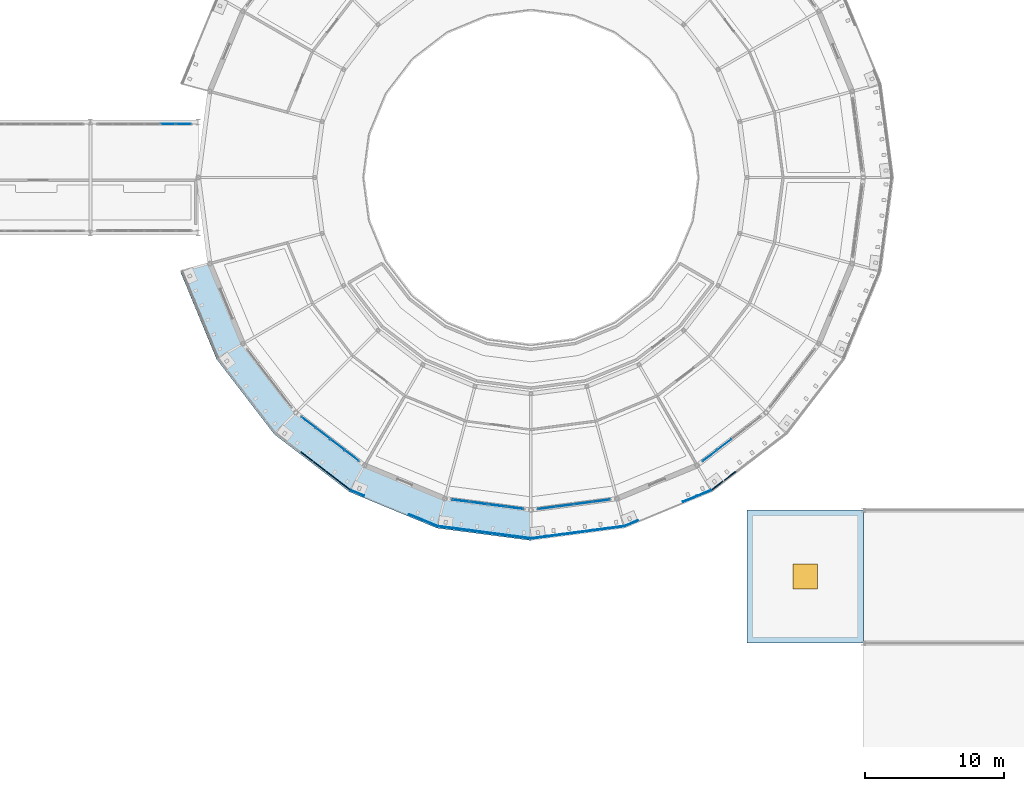
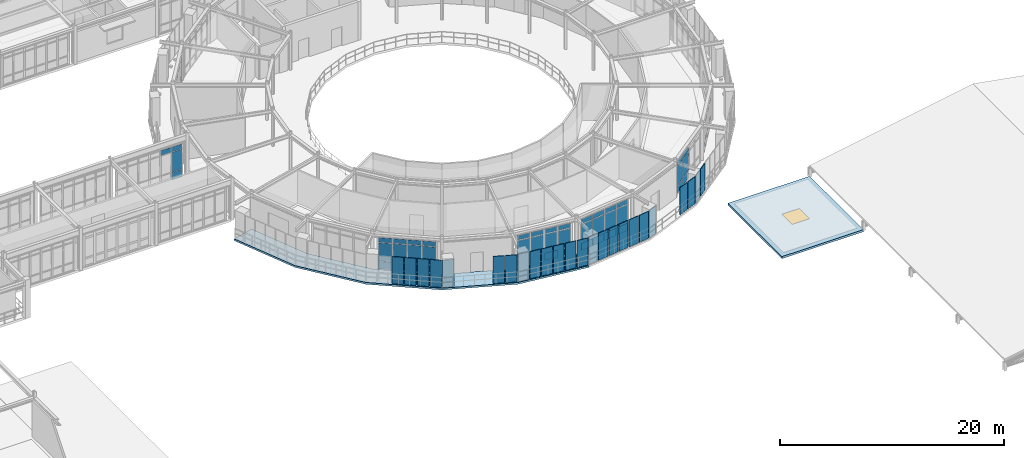
# One storey, part 60 of 90: 70 plates, 2 slabs, 1 window, 1 opening, 5 elements without a shape of their own.
"""IFC4 building model written with IfcOpenShell, lengths in metres."""

from ifc_helpers import new_model, si_unit, derived_unit, direction, frame, origin, origin_2d, place, context, subcontext, project, spatial, polyline, rectangle, outline, extrude, material, layer, layer_set, type_object, element, fill, aggregate, save


model = new_model("IFC4")

# Units and contexts
model_context = context("Model", 3, precision=1e-05, world=origin(), true_north=direction((0.0, 1.0)))
body_context = subcontext(model_context, "Body", "Model", "MODEL_VIEW")
ifc_project = project(units=[si_unit("LENGTHUNIT", "METRE"), si_unit("AREAUNIT", "SQUARE_METRE"), si_unit("VOLUMEUNIT", "CUBIC_METRE"), si_unit("PLANEANGLEUNIT", "RADIAN"), si_unit("MASSUNIT", "GRAM", prefix="KILO"), derived_unit("THERMALTRANSMITTANCEUNIT", [(si_unit("POWERUNIT", "WATT"), 1), (si_unit("AREAUNIT", "SQUARE_METRE"), -1), (si_unit("THERMODYNAMICTEMPERATUREUNIT", "KELVIN"), -1)])], contexts=[model_context])

# Site, building, storey
site_placement = place(None, origin())
site = spatial("IfcSite", under=ifc_project, at=site_placement, CompositionType="ELEMENT")
building_placement = place(site_placement, origin())
building = spatial("IfcBuilding", under=site, at=building_placement, Name="Yasenodar Specialist Clinic", CompositionType="ELEMENT")
storey_placement = place(building_placement, frame((0.0, 0.0, 9.0)))
storey = spatial("IfcBuildingStorey", under=building, at=storey_placement, Name="L02", CompositionType="ELEMENT", Elevation=9.0)

# Curtain wall, plates
ifc_material_1 = material(Name="Bronze Anodized Aluminium and Triple Low-E Glass", Category="aluminium")
ifc_layer_1 = layer(ifc_material_1, 0.1669921875)
ifc_layer_set_1 = layer_set([ifc_layer_1], Name="Bronze Anodized Aluminium and Triple Low-E Glass")
curtain_wall_type_1 = type_object("IfcCurtainWallType", Name="CW-SYS-01", PredefinedType="USERDEFINED", material=ifc_layer_set_1)
curtain_wall_1_placement = place(storey_placement, origin())
curtain_wall_1 = element("IfcCurtainWall", 1, at=curtain_wall_1_placement, inside=storey, type_object=curtain_wall_type_1, Name="L02 Unitised Curtain Wall 036", ObjectType="UNITISED CURTAIN WALL", PredefinedType="USERDEFINED")
ifc_material_2 = material(Name="Triple Low-E Argon Glazing", Category="glass")
ifc_layer_2 = layer(ifc_material_2, 0.028076171875)
ifc_layer_set_2 = layer_set([ifc_layer_2], Name="Triple Low-E Argon Glazing")
plate_type_1 = type_object("IfcPlateType", Name="CW-PAN-1", PredefinedType="CURTAIN_PANEL", material=ifc_layer_set_2)
plate_1_placement = place(storey_placement, frame((86.0634765625, 35.466552734375, 0.06005859375), z_axis=(0.0, 0.0, 1.0), x_axis=(-0.991446787601, -0.13051156024, 0.0)))
plate_1 = element("IfcPlate", 2, at=plate_1_placement, type_object=plate_type_1, Name="CW-01 panel 1.1", PredefinedType="CURTAIN_PANEL", context=body_context, shape_type="SweptSolid", body=[
    extrude(rectangle(XDim=1.236328125, YDim=0.028076171875, at=origin_2d()), origin(), (0.0, 0.0, 1.0), 0.81005859375),
])
plate_2_placement = place(storey_placement, frame((86.0634765625, 35.466552734375, 0.929931640625), z_axis=(0.0, 0.0, 1.0), x_axis=(-0.991446787601, -0.13051156024, 0.0)))
plate_2 = element("IfcPlate", 3, at=plate_2_placement, type_object=plate_type_1, Name="CW-01 panel 1.2", PredefinedType="CURTAIN_PANEL", context=body_context, shape_type="SweptSolid", body=[
    extrude(rectangle(XDim=1.236328125, YDim=0.028076171875, at=origin_2d()), origin(), (0.0, 0.0, 1.0), 1.97802734375),
])
plate_3_placement = place(storey_placement, frame((86.0634765625, 35.466552734375, 2.9677734375), z_axis=(0.0, 0.0, 1.0), x_axis=(-0.991446787601, -0.13051156024, 0.0)))
plate_3 = element("IfcPlate", 4, at=plate_3_placement, type_object=plate_type_1, Name="CW-01 panel 1.3", PredefinedType="CURTAIN_PANEL", context=body_context, shape_type="SweptSolid", body=[
    extrude(rectangle(XDim=1.236328125, YDim=0.028076171875, at=origin_2d()), origin(), (0.0, 0.0, 1.0), 0.510009765625),
])
plate_4_placement = place(storey_placement, frame((84.763427734375, 35.29541015625, 0.06005859375), z_axis=(0.0, 0.0, 1.0), x_axis=(-0.991446787601, -0.13051156024, 0.0)))
plate_4 = element("IfcPlate", 5, at=plate_4_placement, type_object=plate_type_1, Name="CW-01 panel 2.1", PredefinedType="CURTAIN_PANEL", context=body_context, shape_type="SweptSolid", body=[
    extrude(rectangle(XDim=1.266357421875, YDim=0.028076171875, at=origin_2d()), origin(), (0.0, 0.0, 1.0), 0.81005859375),
])
plate_5_placement = place(storey_placement, frame((84.763427734375, 35.29541015625, 0.929931640625), z_axis=(0.0, 0.0, 1.0), x_axis=(-0.991446787601, -0.13051156024, 0.0)))
plate_5 = element("IfcPlate", 6, at=plate_5_placement, type_object=plate_type_1, Name="CW-01 panel 2.2", PredefinedType="CURTAIN_PANEL", context=body_context, shape_type="SweptSolid", body=[
    extrude(rectangle(XDim=1.266357421875, YDim=0.028076171875, at=origin_2d()), origin(), (0.0, 0.0, 1.0), 1.97802734375),
])
plate_6_placement = place(storey_placement, frame((84.763427734375, 35.29541015625, 2.9677734375), z_axis=(0.0, 0.0, 1.0), x_axis=(-0.991446787601, -0.13051156024, 0.0)))
plate_6 = element("IfcPlate", 7, at=plate_6_placement, type_object=plate_type_1, Name="CW-01 panel 2.3", PredefinedType="CURTAIN_PANEL", context=body_context, shape_type="SweptSolid", body=[
    extrude(rectangle(XDim=1.266357421875, YDim=0.028076171875, at=origin_2d()), origin(), (0.0, 0.0, 1.0), 0.510009765625),
])
plate_7_placement = place(storey_placement, frame((83.4482421875, 35.122314453125, 0.06005859375), z_axis=(0.0, 0.0, 1.0), x_axis=(-0.991446787601, -0.13051156024, 0.0)))
plate_7 = element("IfcPlate", 8, at=plate_7_placement, type_object=plate_type_1, Name="CW-01 panel 3.1", PredefinedType="CURTAIN_PANEL", context=body_context, shape_type="SweptSolid", body=[
    extrude(rectangle(XDim=1.266357421875, YDim=0.028076171875, at=origin_2d()), origin(), (0.0, 0.0, 1.0), 0.81005859375),
])
plate_8_placement = place(storey_placement, frame((83.4482421875, 35.122314453125, 0.929931640625), z_axis=(0.0, 0.0, 1.0), x_axis=(-0.991446787601, -0.13051156024, 0.0)))
plate_8 = element("IfcPlate", 9, at=plate_8_placement, type_object=plate_type_1, Name="CW-01 panel 3.2", PredefinedType="CURTAIN_PANEL", context=body_context, shape_type="SweptSolid", body=[
    extrude(rectangle(XDim=1.266357421875, YDim=0.028076171875, at=origin_2d()), origin(), (0.0, 0.0, 1.0), 1.97802734375),
])
plate_9_placement = place(storey_placement, frame((83.4482421875, 35.122314453125, 2.9677734375), z_axis=(0.0, 0.0, 1.0), x_axis=(-0.991446787601, -0.13051156024, 0.0)))
plate_9 = element("IfcPlate", 10, at=plate_9_placement, type_object=plate_type_1, Name="CW-01 panel 3.3", PredefinedType="CURTAIN_PANEL", context=body_context, shape_type="SweptSolid", body=[
    extrude(rectangle(XDim=1.266357421875, YDim=0.028076171875, at=origin_2d()), origin(), (0.0, 0.0, 1.0), 0.510009765625),
])
plate_10_placement = place(storey_placement, frame((82.148193359375, 34.951171875, 0.06005859375), z_axis=(0.0, 0.0, 1.0), x_axis=(-0.991446787601, -0.13051156024, 0.0)))
plate_10 = element("IfcPlate", 11, at=plate_10_placement, type_object=plate_type_1, Name="CW-01 panel 4.1", PredefinedType="CURTAIN_PANEL", context=body_context, shape_type="SweptSolid", body=[
    extrude(rectangle(XDim=1.236328125, YDim=0.028076171875, at=origin_2d()), origin(), (0.0, 0.0, 1.0), 0.81005859375),
])
plate_11_placement = place(storey_placement, frame((82.148193359375, 34.951171875, 0.929931640625), z_axis=(0.0, 0.0, 1.0), x_axis=(-0.991446787601, -0.13051156024, 0.0)))
plate_11 = element("IfcPlate", 12, at=plate_11_placement, type_object=plate_type_1, Name="CW-01 panel 4.2", PredefinedType="CURTAIN_PANEL", context=body_context, shape_type="SweptSolid", body=[
    extrude(rectangle(XDim=1.236328125, YDim=0.028076171875, at=origin_2d()), origin(), (0.0, 0.0, 1.0), 1.97802734375),
])
plate_12_placement = place(storey_placement, frame((82.148193359375, 34.951171875, 2.9677734375), z_axis=(0.0, 0.0, 1.0), x_axis=(-0.991446787601, -0.13051156024, 0.0)))
plate_12 = element("IfcPlate", 13, at=plate_12_placement, type_object=plate_type_1, Name="CW-01 panel 4.3", PredefinedType="CURTAIN_PANEL", context=body_context, shape_type="SweptSolid", body=[
    extrude(rectangle(XDim=1.236328125, YDim=0.028076171875, at=origin_2d()), origin(), (0.0, 0.0, 1.0), 0.510009765625),
])
aggregate(curtain_wall_1, [plate_1, plate_2, plate_3, plate_4, plate_5, plate_6, plate_7, plate_8, plate_9, plate_10, plate_11, plate_12])

curtain_wall_2_placement = place(storey_placement, origin())
curtain_wall_2 = element("IfcCurtainWall", 14, at=curtain_wall_2_placement, inside=storey, type_object=curtain_wall_type_1, Name="L02 Unitised Curtain Wall 037", ObjectType="UNITISED CURTAIN WALL", PredefinedType="USERDEFINED")
ifc_layer_3 = layer(ifc_material_2, 0.033935546875)
ifc_layer_set_3 = layer_set([ifc_layer_3], Name="Triple Low-E Argon Glazing")
plate_type_2 = type_object("IfcPlateType", Name="CW-PAN-2", PredefinedType="CURTAIN_PANEL", material=ifc_layer_set_3)
plate_13_placement = place(storey_placement, frame((94.959228515625, 39.518798828125, 0.06005859375), z_axis=(0.0, 0.0, 1.0), x_axis=(-0.793360558574, -0.608752021844, 0.0)))
plate_13 = element("IfcPlate", 15, at=plate_13_placement, type_object=plate_type_2, Name="CW-01 panel 3.1", PredefinedType="CURTAIN_PANEL", context=body_context, shape_type="SweptSolid", body=[
    extrude(rectangle(XDim=1.266357421875, YDim=0.033935546875, at=origin_2d()), origin(), (0.0, 0.0, 1.0), 0.81005859375),
])
plate_14_placement = place(storey_placement, frame((94.959228515625, 39.518798828125, 0.929931640625), z_axis=(0.0, 0.0, 1.0), x_axis=(-0.793360558574, -0.608752021844, 0.0)))
plate_14 = element("IfcPlate", 16, at=plate_14_placement, type_object=plate_type_2, Name="CW-01 panel 3.2", PredefinedType="CURTAIN_PANEL", context=body_context, shape_type="SweptSolid", body=[
    extrude(rectangle(XDim=1.266357421875, YDim=0.033935546875, at=origin_2d()), origin(), (0.0, 0.0, 1.0), 1.97802734375),
])
plate_15_placement = place(storey_placement, frame((94.959228515625, 39.518798828125, 2.9677734375), z_axis=(0.0, 0.0, 1.0), x_axis=(-0.793360558574, -0.608752021844, 0.0)))
plate_15 = element("IfcPlate", 17, at=plate_15_placement, type_object=plate_type_2, Name="CW-01 panel 3.3", PredefinedType="CURTAIN_PANEL", context=body_context, shape_type="SweptSolid", body=[
    extrude(rectangle(XDim=1.266357421875, YDim=0.033935546875, at=origin_2d()), origin(), (0.0, 0.0, 1.0), 0.510009765625),
])
plate_16_placement = place(storey_placement, frame((93.9189453125, 38.720458984375, 0.06005859375), z_axis=(0.0, 0.0, 1.0), x_axis=(-0.793360558574, -0.608752021844, 0.0)))
plate_16 = element("IfcPlate", 18, at=plate_16_placement, type_object=plate_type_2, Name="CW-01 panel 4.1", PredefinedType="CURTAIN_PANEL", context=body_context, shape_type="SweptSolid", body=[
    extrude(rectangle(XDim=1.236328125, YDim=0.033935546875, at=origin_2d()), origin(), (0.0, 0.0, 1.0), 0.81005859375),
])
plate_17_placement = place(storey_placement, frame((93.9189453125, 38.720458984375, 0.929931640625), z_axis=(0.0, 0.0, 1.0), x_axis=(-0.793360558574, -0.608752021844, 0.0)))
plate_17 = element("IfcPlate", 19, at=plate_17_placement, type_object=plate_type_2, Name="CW-01 panel 4.2", PredefinedType="CURTAIN_PANEL", context=body_context, shape_type="SweptSolid", body=[
    extrude(rectangle(XDim=1.236328125, YDim=0.033935546875, at=origin_2d()), origin(), (0.0, 0.0, 1.0), 1.97802734375),
])
plate_18_placement = place(storey_placement, frame((93.9189453125, 38.720458984375, 2.9677734375), z_axis=(0.0, 0.0, 1.0), x_axis=(-0.793360558574, -0.608752021844, 0.0)))
plate_18 = element("IfcPlate", 20, at=plate_18_placement, type_object=plate_type_2, Name="CW-01 panel 4.3", PredefinedType="CURTAIN_PANEL", context=body_context, shape_type="SweptSolid", body=[
    extrude(rectangle(XDim=1.236328125, YDim=0.033935546875, at=origin_2d()), origin(), (0.0, 0.0, 1.0), 0.510009765625),
])
aggregate(curtain_wall_2, [plate_13, plate_14, plate_15, plate_16, plate_17, plate_18])

curtain_wall_3_placement = place(storey_placement, origin())
curtain_wall_3 = element("IfcCurtainWall", 21, at=curtain_wall_3_placement, inside=storey, type_object=curtain_wall_type_1, Name="L02 Unitised Curtain Wall 034", ObjectType="UNITISED CURTAIN WALL", PredefinedType="USERDEFINED")
ifc_layer_4 = layer(ifc_material_2, 0.0400390625)
ifc_layer_set_4 = layer_set([ifc_layer_4], Name="Triple Low-E Argon Glazing")
plate_type_3 = type_object("IfcPlateType", Name="CW-PAN-3", PredefinedType="CURTAIN_PANEL", material=ifc_layer_set_4)
plate_19_placement = place(storey_placement, frame((68.0810546875, 38.720458984375, 0.06005859375), z_axis=(0.0, 0.0, 1.0), x_axis=(-0.793360558574, 0.608752021844, 0.0)))
plate_19 = element("IfcPlate", 22, at=plate_19_placement, type_object=plate_type_3, Name="CW-01 panel 1.1", PredefinedType="CURTAIN_PANEL", context=body_context, shape_type="SweptSolid", body=[
    extrude(rectangle(XDim=1.236328125, YDim=0.0400390625, at=origin_2d()), origin(), (0.0, 0.0, 1.0), 0.81005859375),
])
plate_20_placement = place(storey_placement, frame((68.0810546875, 38.720458984375, 0.929931640625), z_axis=(0.0, 0.0, 1.0), x_axis=(-0.793360558574, 0.608752021844, 0.0)))
plate_20 = element("IfcPlate", 23, at=plate_20_placement, type_object=plate_type_3, Name="CW-01 panel 1.2", PredefinedType="CURTAIN_PANEL", context=body_context, shape_type="SweptSolid", body=[
    extrude(rectangle(XDim=1.236328125, YDim=0.0400390625, at=origin_2d()), origin(), (0.0, 0.0, 1.0), 1.97802734375),
])
plate_21_placement = place(storey_placement, frame((68.0810546875, 38.720458984375, 2.9677734375), z_axis=(0.0, 0.0, 1.0), x_axis=(-0.793360558574, 0.608752021844, 0.0)))
plate_21 = element("IfcPlate", 24, at=plate_21_placement, type_object=plate_type_3, Name="CW-01 panel 1.3", PredefinedType="CURTAIN_PANEL", context=body_context, shape_type="SweptSolid", body=[
    extrude(rectangle(XDim=1.236328125, YDim=0.0400390625, at=origin_2d()), origin(), (0.0, 0.0, 1.0), 0.510009765625),
])
plate_22_placement = place(storey_placement, frame((67.040771484375, 39.518798828125, 0.06005859375), z_axis=(0.0, 0.0, 1.0), x_axis=(-0.793360558574, 0.608752021844, 0.0)))
plate_22 = element("IfcPlate", 25, at=plate_22_placement, type_object=plate_type_3, Name="CW-01 panel 2.1", PredefinedType="CURTAIN_PANEL", context=body_context, shape_type="SweptSolid", body=[
    extrude(rectangle(XDim=1.266357421875, YDim=0.0400390625, at=origin_2d()), origin(), (0.0, 0.0, 1.0), 0.81005859375),
])
plate_23_placement = place(storey_placement, frame((67.040771484375, 39.518798828125, 0.929931640625), z_axis=(0.0, 0.0, 1.0), x_axis=(-0.793360558574, 0.608752021844, 0.0)))
plate_23 = element("IfcPlate", 26, at=plate_23_placement, type_object=plate_type_3, Name="CW-01 panel 2.2", PredefinedType="CURTAIN_PANEL", context=body_context, shape_type="SweptSolid", body=[
    extrude(rectangle(XDim=1.266357421875, YDim=0.0400390625, at=origin_2d()), origin(), (0.0, 0.0, 1.0), 1.97802734375),
])
plate_24_placement = place(storey_placement, frame((67.040771484375, 39.518798828125, 2.9677734375), z_axis=(0.0, 0.0, 1.0), x_axis=(-0.793360558574, 0.608752021844, 0.0)))
plate_24 = element("IfcPlate", 27, at=plate_24_placement, type_object=plate_type_3, Name="CW-01 panel 2.3", PredefinedType="CURTAIN_PANEL", context=body_context, shape_type="SweptSolid", body=[
    extrude(rectangle(XDim=1.266357421875, YDim=0.0400390625, at=origin_2d()), origin(), (0.0, 0.0, 1.0), 0.510009765625),
])
plate_25_placement = place(storey_placement, frame((65.988525390625, 40.326171875, 0.06005859375), z_axis=(0.0, 0.0, 1.0), x_axis=(-0.793360558574, 0.608752021844, 0.0)))
plate_25 = element("IfcPlate", 28, at=plate_25_placement, type_object=plate_type_3, Name="CW-01 panel 3.1", PredefinedType="CURTAIN_PANEL", context=body_context, shape_type="SweptSolid", body=[
    extrude(rectangle(XDim=1.266357421875, YDim=0.0400390625, at=origin_2d()), origin(), (0.0, 0.0, 1.0), 0.81005859375),
])
plate_26_placement = place(storey_placement, frame((65.988525390625, 40.326171875, 0.929931640625), z_axis=(0.0, 0.0, 1.0), x_axis=(-0.793360558574, 0.608752021844, 0.0)))
plate_26 = element("IfcPlate", 29, at=plate_26_placement, type_object=plate_type_3, Name="CW-01 panel 3.2", PredefinedType="CURTAIN_PANEL", context=body_context, shape_type="SweptSolid", body=[
    extrude(rectangle(XDim=1.266357421875, YDim=0.0400390625, at=origin_2d()), origin(), (0.0, 0.0, 1.0), 1.97802734375),
])
plate_27_placement = place(storey_placement, frame((65.988525390625, 40.326171875, 2.9677734375), z_axis=(0.0, 0.0, 1.0), x_axis=(-0.793360558574, 0.608752021844, 0.0)))
plate_27 = element("IfcPlate", 30, at=plate_27_placement, type_object=plate_type_3, Name="CW-01 panel 3.3", PredefinedType="CURTAIN_PANEL", context=body_context, shape_type="SweptSolid", body=[
    extrude(rectangle(XDim=1.266357421875, YDim=0.0400390625, at=origin_2d()), origin(), (0.0, 0.0, 1.0), 0.510009765625),
])
plate_28_placement = place(storey_placement, frame((64.9482421875, 41.124267578125, 0.06005859375), z_axis=(0.0, 0.0, 1.0), x_axis=(-0.793360558574, 0.608752021844, 0.0)))
plate_28 = element("IfcPlate", 31, at=plate_28_placement, type_object=plate_type_3, Name="CW-01 panel 4.1", PredefinedType="CURTAIN_PANEL", context=body_context, shape_type="SweptSolid", body=[
    extrude(rectangle(XDim=1.236328125, YDim=0.0400390625, at=origin_2d()), origin(), (0.0, 0.0, 1.0), 0.81005859375),
])
plate_29_placement = place(storey_placement, frame((64.9482421875, 41.124267578125, 0.929931640625), z_axis=(0.0, 0.0, 1.0), x_axis=(-0.793360558574, 0.608752021844, 0.0)))
plate_29 = element("IfcPlate", 32, at=plate_29_placement, type_object=plate_type_3, Name="CW-01 panel 4.2", PredefinedType="CURTAIN_PANEL", context=body_context, shape_type="SweptSolid", body=[
    extrude(rectangle(XDim=1.236328125, YDim=0.0400390625, at=origin_2d()), origin(), (0.0, 0.0, 1.0), 1.97802734375),
])
plate_30_placement = place(storey_placement, frame((64.9482421875, 41.124267578125, 2.9677734375), z_axis=(0.0, 0.0, 1.0), x_axis=(-0.793360558574, 0.608752021844, 0.0)))
plate_30 = element("IfcPlate", 33, at=plate_30_placement, type_object=plate_type_3, Name="CW-01 panel 4.3", PredefinedType="CURTAIN_PANEL", context=body_context, shape_type="SweptSolid", body=[
    extrude(rectangle(XDim=1.236328125, YDim=0.0400390625, at=origin_2d()), origin(), (0.0, 0.0, 1.0), 0.510009765625),
])
aggregate(curtain_wall_3, [plate_19, plate_20, plate_21, plate_22, plate_23, plate_24, plate_25, plate_26, plate_27, plate_28, plate_29, plate_30])

curtain_wall_4_placement = place(storey_placement, origin())
curtain_wall_4 = element("IfcCurtainWall", 34, at=curtain_wall_4_placement, inside=storey, type_object=curtain_wall_type_1, Name="L02 Unitised Curtain Wall 035", ObjectType="UNITISED CURTAIN WALL", PredefinedType="USERDEFINED")
ifc_layer_5 = layer(ifc_material_2, 0.0458984375)
ifc_layer_set_5 = layer_set([ifc_layer_5], Name="Triple Low-E Argon Glazing")
plate_type_4 = type_object("IfcPlateType", Name="CW-PAN-4", PredefinedType="CURTAIN_PANEL", material=ifc_layer_set_5)
plate_31_placement = place(storey_placement, frame((79.84814453125, 34.95166015625, 0.074951171875), z_axis=(0.0, 0.0, 1.0), x_axis=(-0.991446787601, 0.13051156024, 0.0)))
plate_31 = element("IfcPlate", 35, at=plate_31_placement, type_object=plate_type_4, Name="CW-01 panel 1.1", PredefinedType="CURTAIN_PANEL", context=body_context, shape_type="SweptSolid", body=[
    extrude(rectangle(XDim=1.2138671875, YDim=0.0458984375, at=origin_2d()), origin(), (0.0, 0.0, 1.0), 0.78759765625),
])
plate_32_placement = place(storey_placement, frame((79.84814453125, 34.95166015625, 0.9375), z_axis=(0.0, 0.0, 1.0), x_axis=(-0.991446787601, 0.13051156024, 0.0)))
plate_32 = element("IfcPlate", 36, at=plate_32_placement, type_object=plate_type_4, Name="CW-01 panel 1.2", PredefinedType="CURTAIN_PANEL", context=body_context, shape_type="SweptSolid", body=[
    extrude(rectangle(XDim=1.2138671875, YDim=0.0458984375, at=origin_2d()), origin(), (0.0, 0.0, 1.0), 1.962890625),
])
plate_33_placement = place(storey_placement, frame((79.84814453125, 34.95166015625, 2.9755859375), z_axis=(0.0, 0.0, 1.0), x_axis=(-0.991446787601, 0.13051156024, 0.0)))
plate_33 = element("IfcPlate", 37, at=plate_33_placement, type_object=plate_type_4, Name="CW-01 panel 1.3", PredefinedType="CURTAIN_PANEL", context=body_context, shape_type="SweptSolid", body=[
    extrude(rectangle(XDim=1.2138671875, YDim=0.0458984375, at=origin_2d()), origin(), (0.0, 0.0, 1.0), 0.487548828125),
])
plate_34_placement = place(storey_placement, frame((78.5517578125, 35.122314453125, 0.074951171875), z_axis=(0.0, 0.0, 1.0), x_axis=(-0.991446787601, 0.13051156024, 0.0)))
plate_34 = element("IfcPlate", 38, at=plate_34_placement, type_object=plate_type_4, Name="CW-01 panel 2.1", PredefinedType="CURTAIN_PANEL", context=body_context, shape_type="SweptSolid", body=[
    extrude(rectangle(XDim=1.251220703125, YDim=0.0458984375, at=origin_2d()), origin(), (0.0, 0.0, 1.0), 0.78759765625),
])
plate_35_placement = place(storey_placement, frame((78.5517578125, 35.122314453125, 0.9375), z_axis=(0.0, 0.0, 1.0), x_axis=(-0.991446787601, 0.13051156024, 0.0)))
plate_35 = element("IfcPlate", 39, at=plate_35_placement, type_object=plate_type_4, Name="CW-01 panel 2.2", PredefinedType="CURTAIN_PANEL", context=body_context, shape_type="SweptSolid", body=[
    extrude(rectangle(XDim=1.251220703125, YDim=0.0458984375, at=origin_2d()), origin(), (0.0, 0.0, 1.0), 1.962890625),
])
plate_36_placement = place(storey_placement, frame((78.5517578125, 35.122314453125, 2.9755859375), z_axis=(0.0, 0.0, 1.0), x_axis=(-0.991446787601, 0.13051156024, 0.0)))
plate_36 = element("IfcPlate", 40, at=plate_36_placement, type_object=plate_type_4, Name="CW-01 panel 2.3", PredefinedType="CURTAIN_PANEL", context=body_context, shape_type="SweptSolid", body=[
    extrude(rectangle(XDim=1.251220703125, YDim=0.0458984375, at=origin_2d()), origin(), (0.0, 0.0, 1.0), 0.487548828125),
])
plate_37_placement = place(storey_placement, frame((77.236572265625, 35.29541015625, 0.074951171875), z_axis=(0.0, 0.0, 1.0), x_axis=(-0.991446787601, 0.13051156024, 0.0)))
plate_37 = element("IfcPlate", 41, at=plate_37_placement, type_object=plate_type_4, Name="CW-01 panel 3.1", PredefinedType="CURTAIN_PANEL", context=body_context, shape_type="SweptSolid", body=[
    extrude(rectangle(XDim=1.251220703125, YDim=0.0458984375, at=origin_2d()), origin(), (0.0, 0.0, 1.0), 0.78759765625),
])
plate_38_placement = place(storey_placement, frame((77.236572265625, 35.29541015625, 0.9375), z_axis=(0.0, 0.0, 1.0), x_axis=(-0.991446787601, 0.13051156024, 0.0)))
plate_38 = element("IfcPlate", 42, at=plate_38_placement, type_object=plate_type_4, Name="CW-01 panel 3.2", PredefinedType="CURTAIN_PANEL", context=body_context, shape_type="SweptSolid", body=[
    extrude(rectangle(XDim=1.251220703125, YDim=0.0458984375, at=origin_2d()), origin(), (0.0, 0.0, 1.0), 1.962890625),
])
plate_39_placement = place(storey_placement, frame((77.236572265625, 35.29541015625, 2.9755859375), z_axis=(0.0, 0.0, 1.0), x_axis=(-0.991446787601, 0.13051156024, 0.0)))
plate_39 = element("IfcPlate", 43, at=plate_39_placement, type_object=plate_type_4, Name="CW-01 panel 3.3", PredefinedType="CURTAIN_PANEL", context=body_context, shape_type="SweptSolid", body=[
    extrude(rectangle(XDim=1.251220703125, YDim=0.0458984375, at=origin_2d()), origin(), (0.0, 0.0, 1.0), 0.487548828125),
])
plate_40_placement = place(storey_placement, frame((75.940185546875, 35.466064453125, 0.074951171875), z_axis=(0.0, 0.0, 1.0), x_axis=(-0.991446787601, 0.13051156024, 0.0)))
plate_40 = element("IfcPlate", 44, at=plate_40_placement, type_object=plate_type_4, Name="CW-01 panel 4.1", PredefinedType="CURTAIN_PANEL", context=body_context, shape_type="SweptSolid", body=[
    extrude(rectangle(XDim=1.2138671875, YDim=0.0458984375, at=origin_2d()), origin(), (0.0, 0.0, 1.0), 0.78759765625),
])
plate_41_placement = place(storey_placement, frame((75.940185546875, 35.466064453125, 0.9375), z_axis=(0.0, 0.0, 1.0), x_axis=(-0.991446787601, 0.13051156024, 0.0)))
plate_41 = element("IfcPlate", 45, at=plate_41_placement, type_object=plate_type_4, Name="CW-01 panel 4.2", PredefinedType="CURTAIN_PANEL", context=body_context, shape_type="SweptSolid", body=[
    extrude(rectangle(XDim=1.2138671875, YDim=0.0458984375, at=origin_2d()), origin(), (0.0, 0.0, 1.0), 1.962890625),
])
plate_42_placement = place(storey_placement, frame((75.940185546875, 35.466064453125, 2.9755859375), z_axis=(0.0, 0.0, 1.0), x_axis=(-0.991446787601, 0.13051156024, 0.0)))
plate_42 = element("IfcPlate", 46, at=plate_42_placement, type_object=plate_type_4, Name="CW-01 panel 4.3", PredefinedType="CURTAIN_PANEL", context=body_context, shape_type="SweptSolid", body=[
    extrude(rectangle(XDim=1.2138671875, YDim=0.0458984375, at=origin_2d()), origin(), (0.0, 0.0, 1.0), 0.487548828125),
])
aggregate(curtain_wall_4, [plate_31, plate_32, plate_33, plate_34, plate_35, plate_36, plate_37, plate_38, plate_39, plate_40, plate_41, plate_42])

ifc_layer_6 = layer(ifc_material_1, 0.19091796875)
ifc_layer_set_6 = layer_set([ifc_layer_6], Name="Bronze Anodized Aluminium and Triple Low-E Glass")
curtain_wall_type_2 = type_object("IfcCurtainWallType", Name="CW-SYS-03", PredefinedType="USERDEFINED", material=ifc_layer_set_6)
curtain_wall_5_placement = place(storey_placement, origin())
curtain_wall_5 = element("IfcCurtainWall", 47, at=curtain_wall_5_placement, inside=storey, type_object=curtain_wall_type_2, Name="L02 Unitised Curtain Wall 111", ObjectType="UNITISED CURTAIN WALL", PredefinedType="USERDEFINED")
plate_43_placement = place(storey_placement, frame((54.81005859375, 62.64990234375, 3.1328125), z_axis=(0.0, 0.0, 1.0), x_axis=(1.0, 0.0, 0.0)))
plate_43 = element("IfcPlate", 48, at=plate_43_placement, type_object=plate_type_4, Name="CW-03 panel 5.3", PredefinedType="CURTAIN_PANEL", context=body_context, shape_type="SweptSolid", body=[
    extrude(rectangle(XDim=1.080078125, YDim=0.0458984375, at=origin_2d()), origin(), (0.0, 0.0, 1.0), 0.510009765625),
])
plate_44_placement = place(storey_placement, frame((55.93505859375, 62.64990234375, 0.06005859375), z_axis=(0.0, 0.0, 1.0), x_axis=(1.0, 0.0, 0.0)))
plate_44 = element("IfcPlate", 49, at=plate_44_placement, type_object=plate_type_4, Name="CW-03 panel 6.1", PredefinedType="CURTAIN_PANEL", context=body_context, shape_type="SweptSolid", body=[
    extrude(rectangle(XDim=1.050048828125, YDim=0.0458984375, at=origin_2d()), origin(), (0.0, 0.0, 1.0), 0.81005859375),
])
plate_45_placement = place(storey_placement, frame((55.93505859375, 62.64990234375, 0.929931640625), z_axis=(0.0, 0.0, 1.0), x_axis=(1.0, 0.0, 0.0)))
plate_45 = element("IfcPlate", 50, at=plate_45_placement, type_object=plate_type_4, Name="CW-03 panel 6.2", PredefinedType="CURTAIN_PANEL", context=body_context, shape_type="SweptSolid", body=[
    extrude(rectangle(XDim=1.050048828125, YDim=0.0458984375, at=origin_2d()), origin(), (0.0, 0.0, 1.0), 2.14306640625),
])
plate_46_placement = place(storey_placement, frame((55.93505859375, 62.64990234375, 3.1328125), z_axis=(0.0, 0.0, 1.0), x_axis=(1.0, 0.0, 0.0)))
plate_46 = element("IfcPlate", 51, at=plate_46_placement, type_object=plate_type_4, Name="CW-03 panel 6.3", PredefinedType="CURTAIN_PANEL", context=body_context, shape_type="SweptSolid", body=[
    extrude(rectangle(XDim=1.050048828125, YDim=0.0458984375, at=origin_2d()), origin(), (0.0, 0.0, 1.0), 0.510009765625),
])
aggregate(curtain_wall_5, [plate_43, plate_44, plate_45, plate_46])

# Plates
ifc_material_3 = material(Name="Thermally Modified Larch and Bronze Girih Jali Screen")
ifc_layer_7 = layer(ifc_material_3, 0.06494140625)
ifc_layer_set_7 = layer_set([ifc_layer_7], Name="Thermally Modified Larch and Bronze Girih Jali Screen")
plate_type_5 = type_object("IfcPlateType", Name="PL-JALI-850", PredefinedType="USERDEFINED", material=ifc_layer_set_7)
for number, where, z_axis, x_axis, name in (
    (52, (64.81982421875, 38.64990234375, 0.0048828125), (0.0, 0.0, 1.0), (0.793351200869, -0.608764217148, 0.0), "L02 Sliding Timber-Bronze Jali Shutter Screen 0171"),
    (53, (65.724365234375, 37.9560546875, 0.0048828125), (0.0, 0.0, 1.0), (0.793351200869, -0.608764217148, 0.0), "L02 Sliding Timber-Bronze Jali Shutter Screen 0172"),
    (54, (66.628662109375, 37.26220703125, 0.0048828125), (0.0, 0.0, 1.0), (0.793351200869, -0.608764217148, 0.0), "L02 Sliding Timber-Bronze Jali Shutter Screen 0173"),
    (55, (67.532958984375, 36.568115234375, 0.0048828125), (0.0, 0.0, 1.0), (0.793351200869, -0.608764217148, 0.0), "L02 Sliding Timber-Bronze Jali Shutter Screen 0174"),
    (56, (68.480224609375, 36.021240234375, 0.0048828125), (0.0, 0.0, 1.0), (0.923878192594, -0.382686667195, 0.0), "L02 Sliding Timber-Bronze Jali Shutter Screen 0175"),
    (57, (72.69287109375, 34.2763671875, 0.0048828125), (0.0, 0.0, 1.0), (0.923878192594, -0.382686667195, 0.0), "L02 Sliding Timber-Bronze Jali Shutter Screen 0176"),
    (58, (73.745849609375, 33.840087890625, 0.0048828125), (0.0, 0.0, 1.0), (0.923878192594, -0.382686667195, 0.0), "L02 Sliding Timber-Bronze Jali Shutter Screen 0177"),
    (59, (74.80224609375, 33.55712890625, 0.0048828125), (0.0, 0.0, 1.0), (0.991445783754, -0.130519185854, 0.0), "L02 Sliding Timber-Bronze Jali Shutter Screen 0178"),
    (60, (75.932373046875, 33.408203125, 0.0048828125), (0.0, 0.0, 1.0), (0.991445783754, -0.130519185854, 0.0), "L02 Sliding Timber-Bronze Jali Shutter Screen 0179"),
    (61, (77.0625, 33.259521484375, 0.0048828125), (0.0, 0.0, 1.0), (0.991445783754, -0.130519185854, 0.0), "L02 Sliding Timber-Bronze Jali Shutter Screen 0180"),
    (62, (78.19287109375, 33.11083984375, 0.0048828125), (0.0, 0.0, 1.0), (0.991445783754, -0.130519185854, 0.0), "L02 Sliding Timber-Bronze Jali Shutter Screen 0181"),
    (63, (79.322998046875, 32.9619140625, 0.0048828125), (0.0, 0.0, 1.0), (0.991445783754, -0.130519185854, 0.0), "L02 Sliding Timber-Bronze Jali Shutter Screen 0182"),
    (64, (80.453125, 32.813232421875, 0.0048828125), (0.0, 0.0, 1.0), (0.991445783754, -0.130519185854, 0.0), "L02 Sliding Timber-Bronze Jali Shutter Screen 0183"),
    (65, (81.546875, 32.813232421875, 0.0048828125), (0.0, 0.0, 1.0), (0.991445783754, 0.130519185854, 0.0), "L02 Sliding Timber-Bronze Jali Shutter Screen 0184"),
    (66, (82.677001953125, 32.9619140625, 0.0048828125), (0.0, 0.0, 1.0), (0.991445783754, 0.130519185854, 0.0), "L02 Sliding Timber-Bronze Jali Shutter Screen 0185"),
    (67, (83.80712890625, 33.11083984375, 0.0048828125), (0.0, 0.0, 1.0), (0.991445783754, 0.130519185854, 0.0), "L02 Sliding Timber-Bronze Jali Shutter Screen 0186"),
    (68, (84.9375, 33.259521484375, 0.0048828125), (0.0, 0.0, 1.0), (0.991445783754, 0.130519185854, 0.0), "L02 Sliding Timber-Bronze Jali Shutter Screen 0187"),
    (69, (86.067626953125, 33.408203125, 0.0048828125), (0.0, 0.0, 1.0), (0.991445783754, 0.130519185854, 0.0), "L02 Sliding Timber-Bronze Jali Shutter Screen 0188"),
    (70, (87.19775390625, 33.55712890625, 0.0048828125), (0.0, 0.0, 1.0), (0.991445783754, 0.130519185854, 0.0), "L02 Sliding Timber-Bronze Jali Shutter Screen 0189"),
    (71, (88.254150390625, 33.840087890625, 0.0048828125), (0.0, 0.0, 1.0), (0.923878192594, 0.382686667195, 0.0), "L02 Sliding Timber-Bronze Jali Shutter Screen 0190"),
    (72, (92.466796875, 35.585205078125, 0.0048828125), (0.0, 0.0, 1.0), (0.923878192594, 0.382686667195, 0.0), "L02 Sliding Timber-Bronze Jali Shutter Screen 0191"),
    (73, (93.519775390625, 36.021240234375, 0.0048828125), (0.0, 0.0, 1.0), (0.923878192594, 0.382686667195, 0.0), "L02 Sliding Timber-Bronze Jali Shutter Screen 0192"),
    (74, (94.467041015625, 36.568115234375, 0.0048828125), (0.0, 0.0, 1.0), (0.793351200869, 0.608764217148, 0.0), "L02 Sliding Timber-Bronze Jali Shutter Screen 0193"),
    (75, (95.371337890625, 37.26220703125, 0.0048828125), (0.0, 0.0, 1.0), (0.793351200869, 0.608764217148, 0.0), "L02 Sliding Timber-Bronze Jali Shutter Screen 0194"),
):
    element("IfcPlate", number, at=place(storey_placement, frame(where, z_axis=z_axis, x_axis=x_axis)), inside=storey, type_object=plate_type_5, Name=name, ObjectType="SCREEN_PANEL", PredefinedType="USERDEFINED", context=body_context, shape_type="SweptSolid", body=[
        extrude(rectangle(XDim=1.0400390625, YDim=0.06494140625, at=origin_2d()), origin(), (0.0, 0.0, 1.0), 2.949951171875),
    ])

# Slab
ifc_material_4 = material(Name="Concrete C30/37", Category="concrete")
ifc_layer_8 = layer(ifc_material_4, 0.195068359375)
ifc_layer_set_8 = layer_set([ifc_layer_8], Name="Concrete C30/37")
slab_type_1 = type_object("IfcSlabType", Name="SLB-BALC-195", PredefinedType="FLOOR", material=ifc_layer_set_8)
slab_1_placement = place(storey_placement, frame((0.0, 0.0, -0.195068359375)))
element("IfcSlab", 76, at=slab_1_placement, inside=storey, type_object=slab_type_1, Name="L02 Drum V1 Balcony Sector 3", PredefinedType="FLOOR", context=body_context, shape_type="SweptSolid", body=[
    extrude(outline(polyline([(81.0, 32.60009765625), (74.218994140625, 33.49267578125), (67.89990234375, 36.110107421875), (62.473876953125, 40.273681640625), (58.31005859375, 45.699951171875), (55.692626953125, 52.018798828125), (57.80322265625, 52.58447265625), (60.202392578125, 46.79248046875), (64.018798828125, 41.818603515625), (68.992431640625, 38.002197265625), (74.784423828125, 35.603271484375), (81.0, 34.784912109375), (81.0, 32.60009765625)])), origin(), (0.0, 0.0, 1.0), 0.195068359375),
])

# Slab, opening, window
ifc_layer_9 = layer(ifc_material_4, 0.22509765625)
ifc_layer_set_9 = layer_set([ifc_layer_9], Name="Concrete C30/37")
slab_type_2 = type_object("IfcSlabType", Name="SLB-ROOF-225", PredefinedType="ROOF", material=ifc_layer_set_9)
slab_2_placement = place(storey_placement, frame((0.0, 0.0, -0.22509765625)))
slab_2 = element("IfcSlab", 77, at=slab_2_placement, inside=storey, type_object=slab_type_2, Name="V3 Conservatory Link Roof Slab", PredefinedType="ROOF", context=body_context, shape_type="SweptSolid", body=[
    extrude(outline(polyline([(96.60009765625, 25.199951171875), (105.0, 25.199951171875), (105.0, 34.800048828125), (96.60009765625, 34.800048828125), (96.60009765625, 25.199951171875)]), holes=[polyline([(99.89990234375, 29.10009765625), (101.699951171875, 29.10009765625), (101.699951171875, 30.89990234375), (99.89990234375, 30.89990234375), (99.89990234375, 29.10009765625)])]), origin(), (0.0, 0.0, 1.0), 0.22509765625),
])
opening_placement = place(slab_2_placement, frame((100.800048828125, 30.0, -0.010009765625)))
opening = element("IfcOpeningElement", 78, at=opening_placement, cuts=slab_2, Name="Opening SK-05", PredefinedType="OPENING", context=body_context, shape_type="SweptSolid", body=[
    extrude(rectangle(XDim=1.800048828125, YDim=1.800048828125, at=origin_2d()), origin(), (0.0, 0.0, 1.0), 0.2451171875),
])
ifc_material_5 = material(Name="Triple Laminated Low-E Skylight Glazing", Category="glass")
window_type = type_object("IfcWindowType", Name="SKY-RF-05", PartitioningType="SINGLE_PANEL", PredefinedType="SKYLIGHT", material=ifc_material_5)
window_placement = place(slab_2_placement, frame((100.800048828125, 30.0, 0.175048828125)))
window = element("IfcWindow", 79, at=window_placement, inside=storey, type_object=window_type, Name="L02 Triple-Glazed Roof Skylight 07", OverallHeight=1.800048828125, OverallWidth=1.800048828125, PartitioningType="SINGLE_PANEL", PredefinedType="SKYLIGHT", context=body_context, shape_type="SweptSolid", body=[
    extrude(rectangle(XDim=1.800048828125, YDim=1.800048828125, at=origin_2d()), origin(), (0.0, 0.0, 1.0), 0.050048828125),
])
fill(opening, window)

save(model, "model.ifc")
